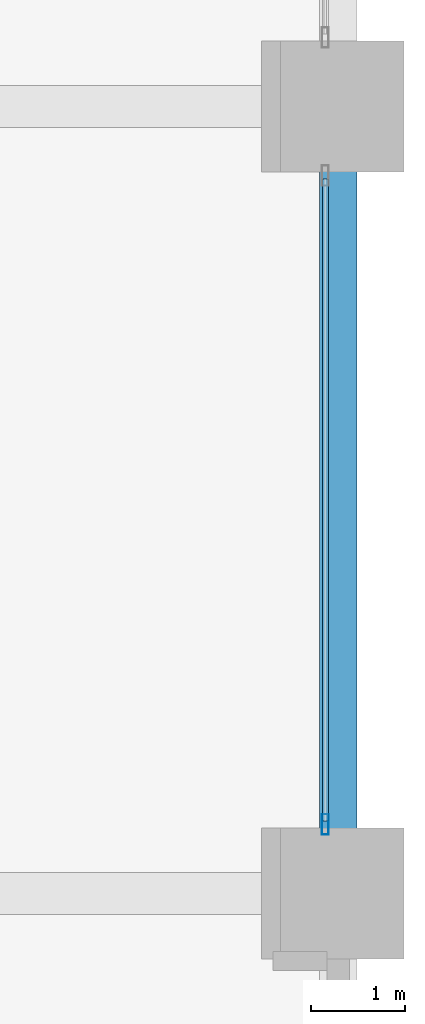
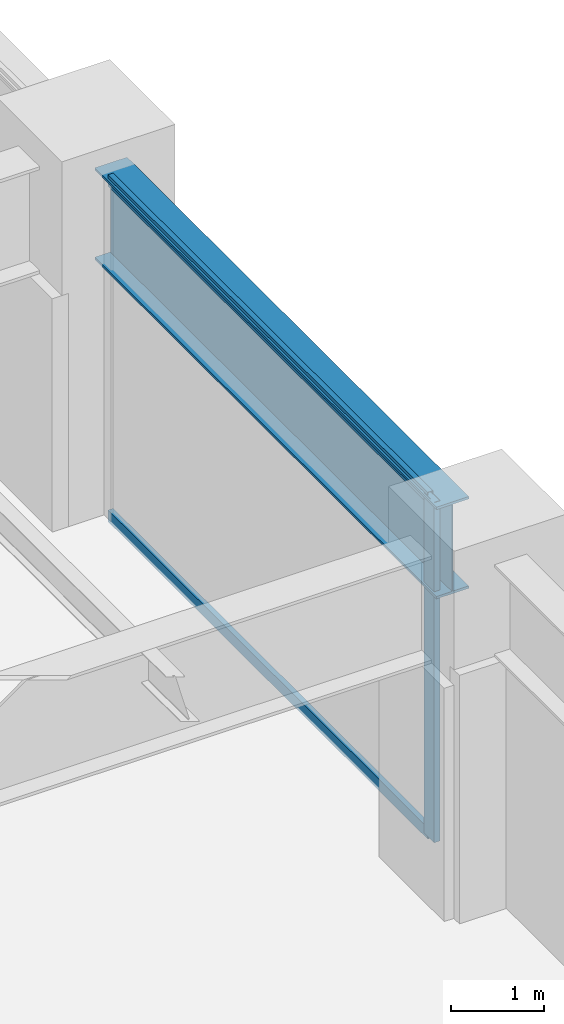
# One storey, part 6 of 24: 3 members, 1 beam, 1 element without a shape of its own.
"""IFC4 building model written with IfcOpenShell, lengths in metres."""

from ifc_helpers import new_model, si_unit, direction, frame, origin, origin_2d, place, context, subcontext, project, spatial, hollow_rectangle, i_section, extrude, material, layer, layer_set, material_profile, profile_set, type_object, element, aggregate, save


model = new_model("IFC4")

# Units and contexts
model_context = context("Model", 3, precision=1e-05, world=origin(), true_north=direction((0.0, 1.0)))
body_context = subcontext(model_context, "Body", "Model", "MODEL_VIEW")
ifc_project = project(units=[si_unit("LENGTHUNIT", "METRE"), si_unit("AREAUNIT", "SQUARE_METRE"), si_unit("VOLUMEUNIT", "CUBIC_METRE"), si_unit("PLANEANGLEUNIT", "RADIAN"), si_unit("MASSUNIT", "GRAM", prefix="KILO")], contexts=[model_context])

# Site, building, storey
site_placement = place(None, origin())
site = spatial("IfcSite", under=ifc_project, at=site_placement, CompositionType="ELEMENT")
building_placement = place(site_placement, origin())
building = spatial("IfcBuilding", under=site, at=building_placement, Name="Nerrivon Quay Data Exchange", CompositionType="ELEMENT")
storey_placement = place(building_placement, frame((0.0, 0.0, 15.0)))
storey = spatial("IfcBuildingStorey", under=building, at=storey_placement, Name="L03", CompositionType="ELEMENT", Elevation=15.0)

# Beam
ifc_material_1 = material(Name="Steel Grade 350", Category="steel")
ifc_material_profile_1 = material_profile(ifc_material_1, i_section(OverallWidth=0.39990234375, OverallDepth=1.199951171875, WebThickness=0.01611328125, FlangeThickness=0.031982421875, at=origin_2d()), Name="1200WB342")
ifc_profile_set_1 = profile_set([ifc_material_profile_1], Name="Steel Grade 350")
beam_type = type_object("IfcBeamType", Name="BM-TG2-1200WB", PredefinedType="USERDEFINED", material=ifc_profile_set_1)
beam_placement = place(storey_placement, frame((58.800048828125, 8.93994140625, 3.85009765625), z_axis=(0.0, 1.0, 0.0), x_axis=(-1.0, 0.0, 0.0)))
element("IfcBeam", 1, at=beam_placement, inside=storey, type_object=beam_type, Name="L03 NS Girder X=58.8 (8.4..16.8)", ObjectType="TRANSFER", PredefinedType="USERDEFINED", context=body_context, shape_type="SweptSolid", body=[
    extrude(i_section(OverallWidth=0.39990234375, OverallDepth=1.199951171875, WebThickness=0.01611328125, FlangeThickness=0.031982421875, at=origin_2d()), origin(), (0.0, 0.0, 1.0), 7.320068359375),
])

# Curtain wall, members
ifc_material_2 = material(Name="Anodised aluminium 6063-T6", Category="aluminium")
ifc_layer = layer(ifc_material_2, 0.239990234375)
ifc_layer_set = layer_set([ifc_layer], Name="Anodised aluminium 6063-T6")
curtain_wall_type = type_object("IfcCurtainWallType", Name="CW-SYS-03", PredefinedType="NOTDEFINED", material=ifc_layer_set)
curtain_wall_placement = place(storey_placement, origin())
curtain_wall = element("IfcCurtainWall", 2, at=curtain_wall_placement, inside=storey, type_object=curtain_wall_type, Name="L03 Unitised Curtain Wall 18", PredefinedType="NOTDEFINED")
ifc_material_profile_2 = material_profile(ifc_material_2, hollow_rectangle(XDim=0.074951171875, YDim=0.219970703125, WallThickness=0.00390625, at=origin_2d()), Name="ALU-MULL-220x75")
ifc_profile_set_2 = profile_set([ifc_material_profile_2], Name="Anodised aluminium 6063-T6")
member_type_1 = type_object("IfcMemberType", Name="CWM-220x75", PredefinedType="MULLION", material=ifc_profile_set_2)
member_1_placement = place(storey_placement, frame((58.659912109375, 9.137451171875, 0.0), z_axis=(0.0, 0.0, 1.0), x_axis=(1.0, 0.0, 0.0)))
member_1 = element("IfcMember", 3, at=member_1_placement, type_object=member_type_1, Name="CW03 mullion 2", PredefinedType="MULLION", context=body_context, shape_type="SweptSolid", body=[
    extrude(hollow_rectangle(XDim=0.074951171875, YDim=0.219970703125, WallThickness=0.00390625, at=origin_2d()), origin(), (0.0, 0.0, 1.0), 4.449951171875),
])
ifc_material_profile_3 = material_profile(ifc_material_2, hollow_rectangle(XDim=0.06494140625, YDim=0.14990234375, WallThickness=0.00341796875, at=origin_2d()), Name="ALU-TRAN-150x65")
ifc_profile_set_3 = profile_set([ifc_material_profile_3], Name="Anodised aluminium 6063-T6")
member_type_2 = type_object("IfcMemberType", Name="CWT-150x65", PredefinedType="USERDEFINED", material=ifc_profile_set_3)
member_2_placement = place(storey_placement, frame((58.659912109375, 16.02490234375, 0.032470703125), z_axis=(0.0, -1.0, 0.0), x_axis=(1.0, 0.0, 0.0)))
member_2 = element("IfcMember", 4, at=member_2_placement, type_object=member_type_2, Name="CW03 transom 1.1", ObjectType="TRANSOM", PredefinedType="USERDEFINED", context=body_context, shape_type="SweptSolid", body=[
    extrude(hollow_rectangle(XDim=0.06494140625, YDim=0.14990234375, WallThickness=0.00341796875, at=origin_2d()), origin(), (0.0, 0.0, 1.0), 6.849853515625),
])
member_3_placement = place(storey_placement, frame((58.659912109375, 16.02490234375, 4.41748046875), z_axis=(0.0, -1.0, 0.0), x_axis=(1.0, 0.0, 0.0)))
member_3 = element("IfcMember", 5, at=member_3_placement, type_object=member_type_2, Name="CW03 transom 1.2", ObjectType="TRANSOM", PredefinedType="USERDEFINED", context=body_context, shape_type="SweptSolid", body=[
    extrude(hollow_rectangle(XDim=0.06494140625, YDim=0.14990234375, WallThickness=0.00341796875, at=origin_2d()), origin(), (0.0, 0.0, 1.0), 6.849853515625),
])
aggregate(curtain_wall, [member_1, member_2, member_3])

save(model, "model.ifc")
